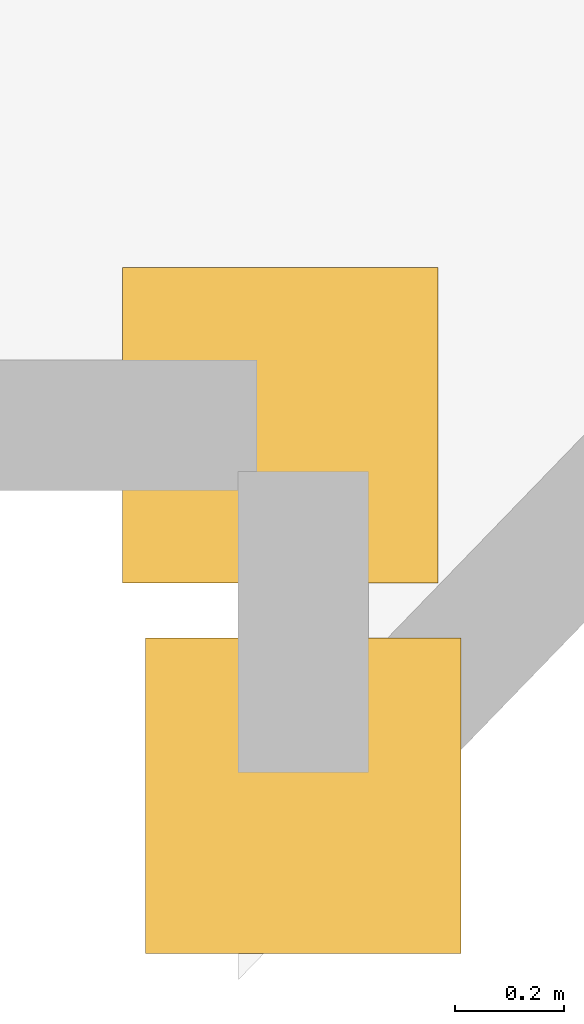
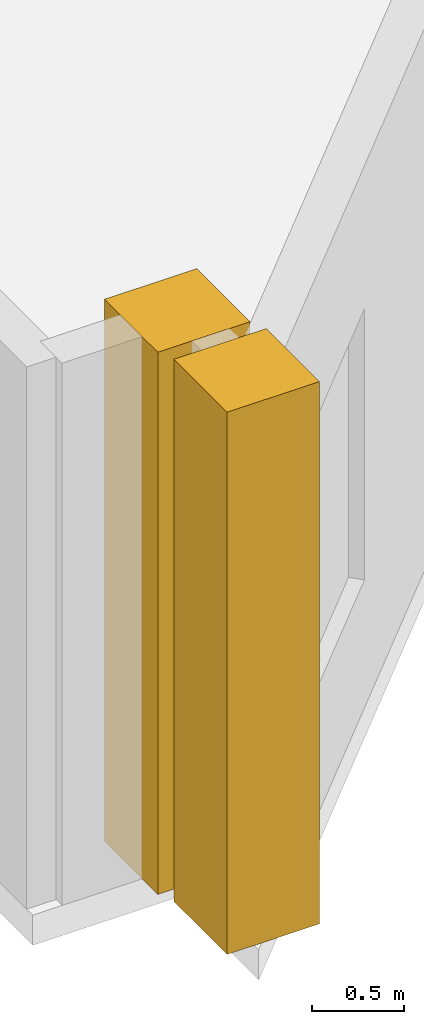
# One storey, part 11 of 13: 2 coverings.
"""IFC4 building model written with IfcOpenShell, lengths in metres."""

from ifc_helpers import new_model, si_unit, direction, frame, origin, origin_2d, place, context, subcontext, project, spatial, rectangle, extrude, material, layer, layer_set, type_object, element, save


model = new_model("IFC4")

# Units and contexts
model_context = context("Model", 3, precision=1e-05, world=origin(), true_north=direction((0.0, 1.0)))
body_context = subcontext(model_context, "Body", "Model", "MODEL_VIEW")
ifc_project = project(units=[si_unit("LENGTHUNIT", "METRE"), si_unit("AREAUNIT", "SQUARE_METRE"), si_unit("VOLUMEUNIT", "CUBIC_METRE"), si_unit("PLANEANGLEUNIT", "RADIAN"), si_unit("MASSUNIT", "GRAM", prefix="KILO")], contexts=[model_context])

# Site, building, storey
site_placement = place(None, origin())
site = spatial("IfcSite", under=ifc_project, at=site_placement, CompositionType="ELEMENT")
building_placement = place(site_placement, origin())
building = spatial("IfcBuilding", under=site, at=building_placement, Name="Haolan Belvedere Tower", CompositionType="ELEMENT")
storey_placement = place(building_placement, frame((0.0, 0.0, 106.0)))
storey = spatial("IfcBuildingStorey", under=building, at=storey_placement, Name="L26", CompositionType="ELEMENT", Elevation=106.0)

# Coverings
ifc_material = material(Name="Pale champagne-silver anodised aluminium rainscreen cladding", Category="aluminium")
ifc_layer = layer(ifc_material, 0.034912109375, Name="Pale champagne-silver anodised aluminium rainscreen cladding")
ifc_layer_set = layer_set([ifc_layer], Name="Pale champagne-silver anodised aluminium rainscreen cladding")
covering_type = type_object("IfcCoveringType", Name="COV-CLAD-35", PredefinedType="CLADDING", material=ifc_layer_set)
for number, where, z_axis, x_axis, name in (
    (1, (4.617431640625, 7.712890625, 0.0), (0.0, 0.0, 1.0), (1.0, 0.0, 0.0), "L26 pale-metal serrated corner cladding trim 1"),
    (2, (4.659912109375, 7.031982421875, 0.0), (0.0, 0.0, 1.0), (1.0, 0.0, 0.0), "L26 pale-metal serrated corner cladding trim 2"),
):
    element("IfcCovering", number, at=place(storey_placement, frame(where, z_axis=z_axis, x_axis=x_axis)), inside=storey, type_object=covering_type, Name=name, PredefinedType="CLADDING", context=body_context, shape_type="SweptSolid", body=[
        extrude(rectangle(XDim=0.580078125, YDim=0.580078125, at=origin_2d()), origin(), (0.0, 0.0, 1.0), 3.60009765625),
    ])

save(model, "model.ifc")
